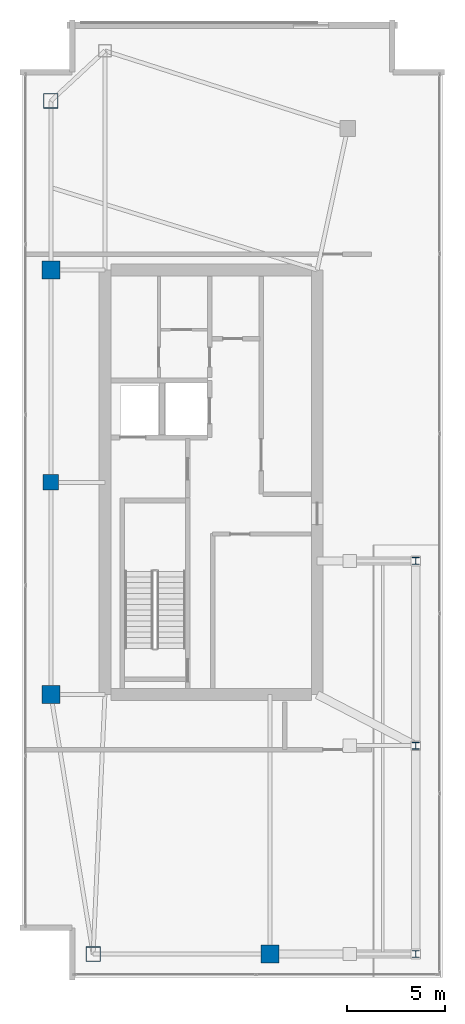
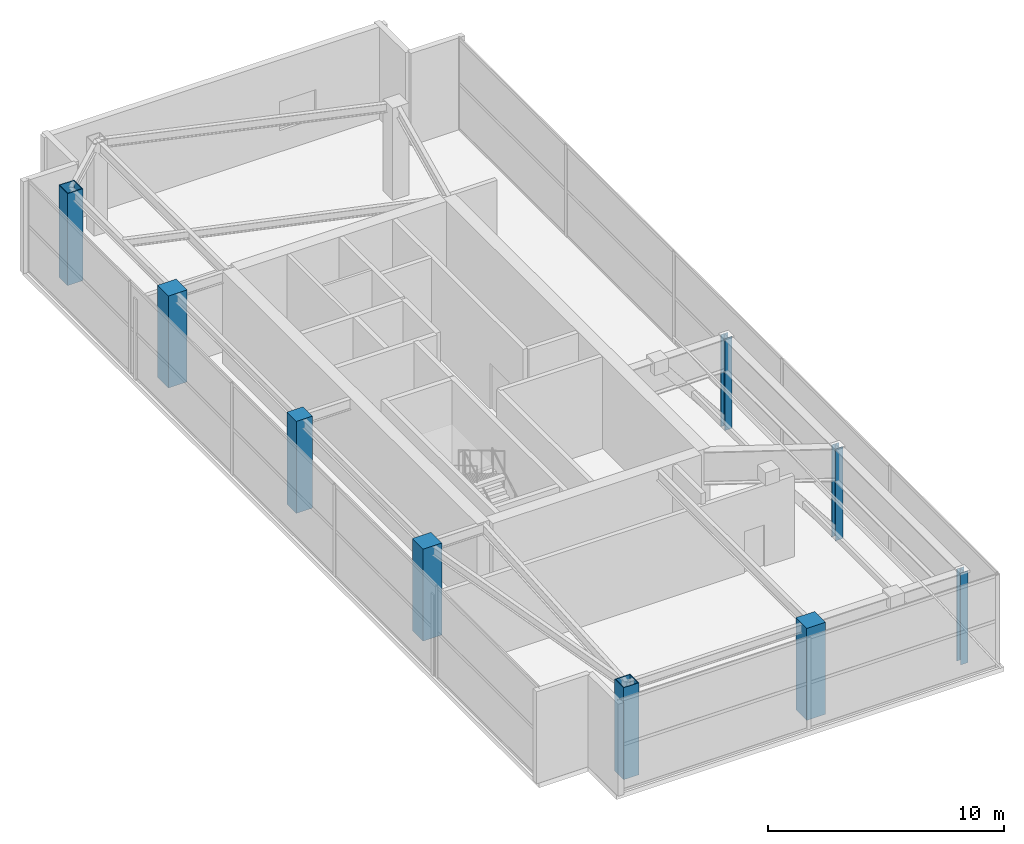
# One storey, part 1 of 20: 9 columns.
"""IFC4 building model written with IfcOpenShell, lengths in metres."""

from ifc_helpers import new_model, si_unit, direction, frame, origin, origin_2d, place, context, subcontext, project, spatial, rectangle, hollow_rectangle, i_section, extrude, material, material_profile, profile_set, type_object, element, save


model = new_model("IFC4")

# Units and contexts
model_context = context("Model", 3, precision=1e-05, world=origin(), true_north=direction((0.0, 1.0)))
body_context = subcontext(model_context, "Body", "Model", "MODEL_VIEW")
ifc_project = project(units=[si_unit("LENGTHUNIT", "METRE"), si_unit("AREAUNIT", "SQUARE_METRE"), si_unit("VOLUMEUNIT", "CUBIC_METRE"), si_unit("PLANEANGLEUNIT", "RADIAN"), si_unit("MASSUNIT", "GRAM", prefix="KILO")], contexts=[model_context])

# Site, building, storey
site_placement = place(None, origin())
site = spatial("IfcSite", under=ifc_project, at=site_placement, CompositionType="ELEMENT")
building_placement = place(site_placement, origin())
building = spatial("IfcBuilding", under=site, at=building_placement, Name="Calvorn Quay Hotel", CompositionType="ELEMENT")
storey_placement = place(building_placement, frame((0.0, 0.0, 340.5)))
storey = spatial("IfcBuildingStorey", under=building, at=storey_placement, Name="L83", CompositionType="ELEMENT", Elevation=340.5)

# Columns
ifc_material_1 = material(Name="Concrete C45", Category="concrete")
ifc_material_profile_1 = material_profile(ifc_material_1, rectangle(XDim=0.800048828125, YDim=0.800048828125, at=origin_2d()), Name="RC800x800")
ifc_profile_set_1 = profile_set([ifc_material_profile_1], Name="Concrete C45")
column_type_1 = type_object("IfcColumnType", Name="COL-RC-800", PredefinedType="COLUMN", material=ifc_profile_set_1)
column_placement = place(storey_placement, frame((1.449951171875, 27.60009765625, 0.0), z_axis=(0.0, 0.0, 1.0), x_axis=(1.0, 0.0, 0.0)))
element("IfcColumn", 1, at=column_placement, inside=storey, type_object=column_type_1, Name="Column C-W3 (L83)", PredefinedType="COLUMN", context=body_context, shape_type="SweptSolid", body=[
    extrude(rectangle(XDim=0.800048828125, YDim=0.800048828125, at=origin_2d()), origin(), (0.0, 0.0, 1.0), 4.760009765625),
])
ifc_material_2 = material(Name="Concrete C45", Category="concrete")
ifc_material_profile_2 = material_profile(ifc_material_2, rectangle(XDim=0.919921875, YDim=0.919921875, at=origin_2d()), Name="RC920x920")
ifc_profile_set_2 = profile_set([ifc_material_profile_2], Name="Concrete C45")
column_type_2 = type_object("IfcColumnType", Name="COL-RC-920", PredefinedType="COLUMN", material=ifc_profile_set_2)
for number, where, z_axis, x_axis, name in (
    (2, (1.449951171875, 16.800048828125, 0.0), (0.0, 0.0, 1.0), (1.0, 0.0, 0.0), "Column C-W2 (L83)"),
    (3, (1.449951171875, 38.39990234375, 0.0), (0.0, 0.0, 1.0), (1.0, 0.0, 0.0), "Column C-W4 (L83)"),
    (4, (12.60009765625, 3.60009765625, 0.0), (0.0, 0.0, 1.0), (1.0, 0.0, 0.0), "Column C-S1 (L83)"),
):
    element("IfcColumn", number, at=place(storey_placement, frame(where, z_axis=z_axis, x_axis=x_axis)), inside=storey, type_object=column_type_2, Name=name, PredefinedType="COLUMN", context=body_context, shape_type="SweptSolid", body=[
        extrude(rectangle(XDim=0.919921875, YDim=0.919921875, at=origin_2d()), origin(), (0.0, 0.0, 1.0), 4.760009765625),
    ])
ifc_material_3 = material(Name="Steel Q390GJC", Category="steel")
ifc_material_profile_3 = material_profile(ifc_material_3, i_section(OverallWidth=0.35009765625, OverallDepth=0.35009765625, WebThickness=0.011962890625, FlangeThickness=0.01904296875, FilletRadius=0.01806640625, at=origin_2d()), Name="HW350x350x12x19")
ifc_profile_set_3 = profile_set([ifc_material_profile_3], Name="Steel Q390GJC")
column_type_3 = type_object("IfcColumnType", Name="COL-STL-CRN", PredefinedType="COLUMN", material=ifc_profile_set_3)
for number, where, z_axis, x_axis, name in (
    (5, (20.01708984375, 3.60009765625, 0.0), (0.0, 0.0, 1.0), (1.0, 0.0, 0.0), "Column C-CR1 (L83)"),
    (6, (20.01708984375, 14.199951171875, 0.0), (0.0, 0.0, 1.0), (1.0, 0.0, 0.0), "Column C-CR2 (L83)"),
    (7, (20.01708984375, 23.60009765625, 0.0), (0.0, 0.0, 1.0), (1.0, 0.0, 0.0), "Column C-CR3 (L83)"),
):
    element("IfcColumn", number, at=place(storey_placement, frame(where, z_axis=z_axis, x_axis=x_axis)), inside=storey, type_object=column_type_3, Name=name, PredefinedType="COLUMN", context=body_context, shape_type="SweptSolid", body=[
        extrude(i_section(OverallWidth=0.35009765625, OverallDepth=0.35009765625, WebThickness=0.011962890625, FlangeThickness=0.01904296875, FilletRadius=0.01806640625, at=origin_2d()), origin(), (0.0, 0.0, 1.0), 4.760009765625),
    ])
ifc_material_4 = material(Name="Steel Q390GJC", Category="steel")
ifc_material_profile_4 = material_profile(ifc_material_4, hollow_rectangle(XDim=0.75, YDim=0.75, WallThickness=0.031982421875, at=origin_2d()), Name="BOX750x750x32")
ifc_profile_set_4 = profile_set([ifc_material_profile_4], Name="Steel Q390GJC")
column_type_4 = type_object("IfcColumnType", Name="COL-STL-Z3", PredefinedType="COLUMN", material=ifc_profile_set_4)
for number, where, z_axis, x_axis, name in (
    (8, (3.60009765625, 3.60009765625, 0.0), (0.0, 0.0, 1.0), (1.0, 0.0, 0.0), "Column C-W1 (L83)"),
    (9, (1.449951171875, 47.0, 0.0), (0.0, 0.0, 1.0), (1.0, 0.0, 0.0), "Column C-W5 (L83)"),
):
    element("IfcColumn", number, at=place(storey_placement, frame(where, z_axis=z_axis, x_axis=x_axis)), inside=storey, type_object=column_type_4, Name=name, PredefinedType="COLUMN", context=body_context, shape_type="SweptSolid", body=[
        extrude(hollow_rectangle(XDim=0.75, YDim=0.75, WallThickness=0.031982421875, at=origin_2d()), origin(), (0.0, 0.0, 1.0), 4.760009765625),
    ])

save(model, "model.ifc")
